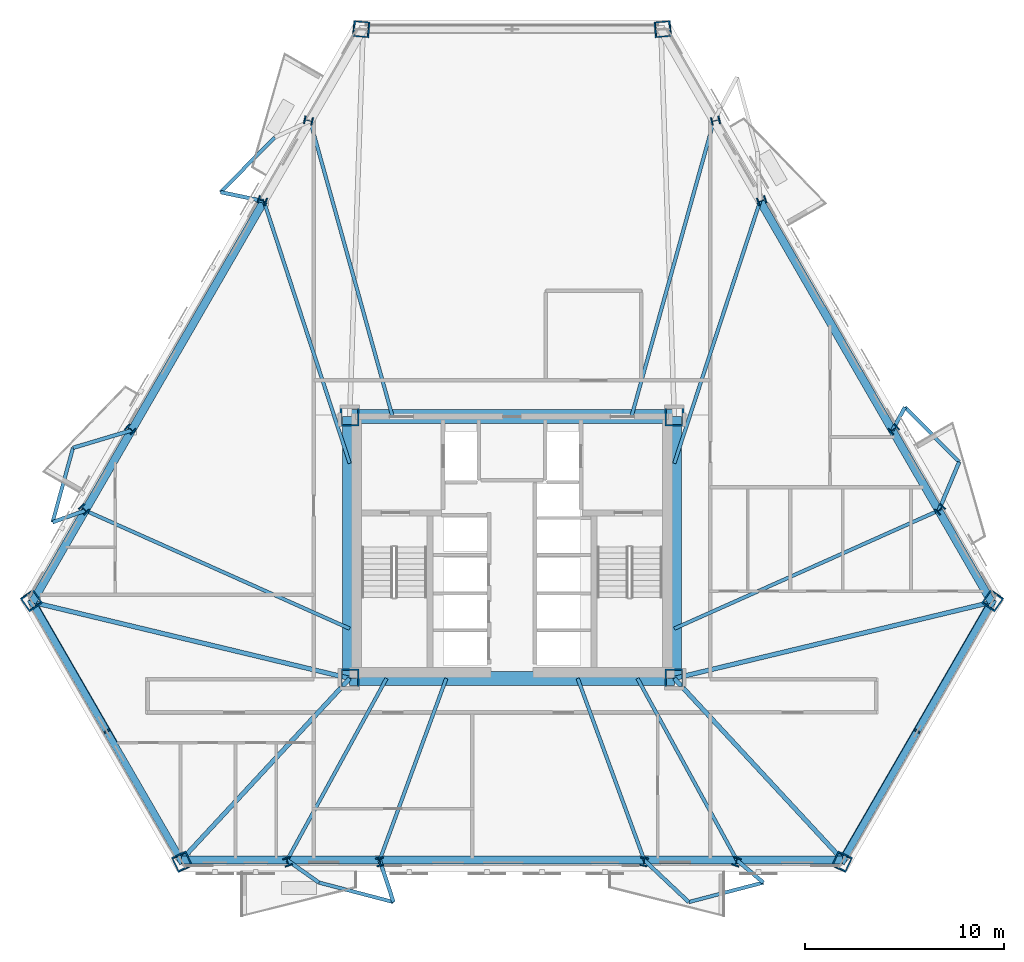
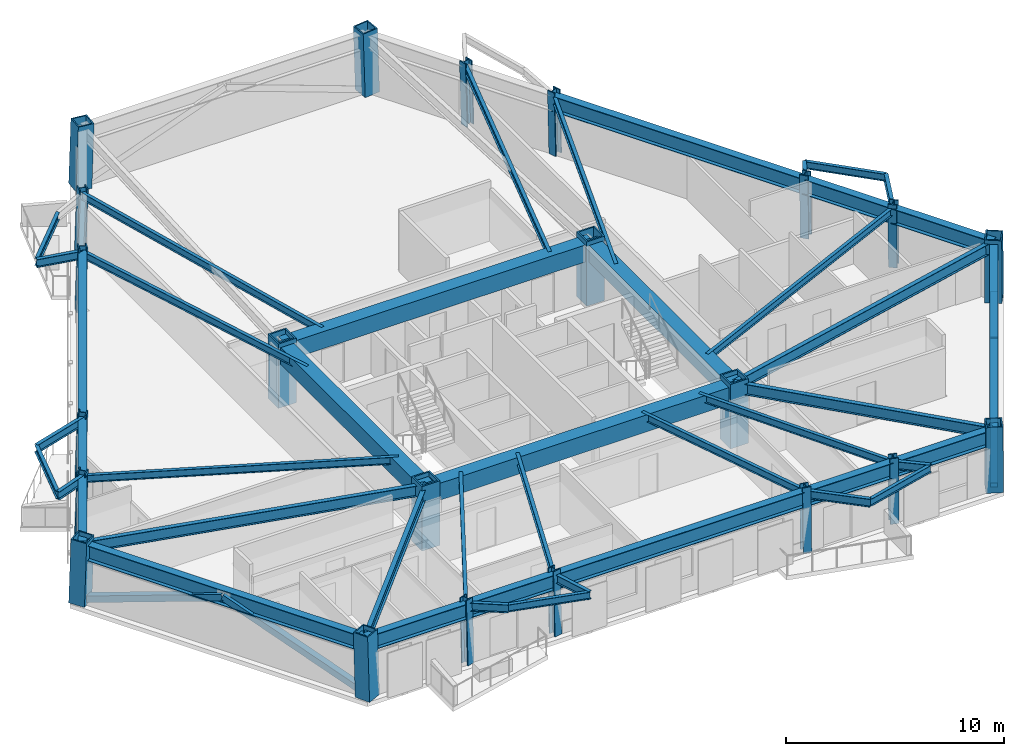
# One storey, part 1 of 13: 45 beams, 22 columns, 4 members.
"""IFC4 building model written with IfcOpenShell, lengths in metres."""

from ifc_helpers import new_model, si_unit, direction, frame, origin, origin_2d, place, context, subcontext, project, spatial, rectangle, hollow_rectangle, i_section, extrude, material, material_profile, profile_set, type_object, element, save


model = new_model("IFC4")

# Units and contexts
model_context = context("Model", 3, precision=1e-05, world=origin(), true_north=direction((0.0, 1.0)))
body_context = subcontext(model_context, "Body", "Model", "MODEL_VIEW")
ifc_project = project(units=[si_unit("LENGTHUNIT", "METRE"), si_unit("AREAUNIT", "SQUARE_METRE"), si_unit("VOLUMEUNIT", "CUBIC_METRE"), si_unit("PLANEANGLEUNIT", "RADIAN"), si_unit("MASSUNIT", "GRAM", prefix="KILO")], contexts=[model_context])

# Site, building, storey
site_placement = place(None, origin())
site = spatial("IfcSite", under=ifc_project, at=site_placement, CompositionType="ELEMENT")
building_placement = place(site_placement, origin())
building = spatial("IfcBuilding", under=site, at=building_placement, Name="Oramaril Tower", CompositionType="ELEMENT")
storey_placement = place(building_placement, frame((0.0, 0.0, 41.699951171875)))
storey = spatial("IfcBuildingStorey", under=building, at=storey_placement, Name="L10", CompositionType="ELEMENT", Elevation=41.699951171875)

# Columns
ifc_material_1 = material(Name="Steel ASTM A572 Gr 50", Category="steel")
ifc_material_profile_1 = material_profile(ifc_material_1, hollow_rectangle(XDim=0.949951171875, YDim=0.949951171875, WallThickness=0.080078125, at=origin_2d()), Name="BOX950X950X80")
ifc_profile_set_1 = profile_set([ifc_material_profile_1], Name="Steel ASTM A572 Gr 50")
column_type_1 = type_object("IfcColumnType", Name="CT-CC2", PredefinedType="COLUMN", material=ifc_profile_set_1)
for number, where, z_axis, x_axis, name in (
    (1, (29.35009765625, 11.0, 0.0), (0.0, 0.0, 1.0), (1.0, 0.0, 0.0), "L10 Core Column CC-1"),
    (2, (45.64990234375, 11.0, 0.0), (0.0, 0.0, 1.0), (1.0, 0.0, 0.0), "L10 Core Column CC-2"),
    (3, (45.64990234375, 24.14990234375, 0.0), (0.0, 0.0, 1.0), (1.0, 0.0, 0.0), "L10 Core Column CC-3"),
    (4, (29.35009765625, 24.14990234375, 0.0), (0.0, 0.0, 1.0), (1.0, 0.0, 0.0), "L10 Core Column CC-4"),
):
    element("IfcColumn", number, at=place(storey_placement, frame(where, z_axis=z_axis, x_axis=x_axis)), inside=storey, type_object=column_type_1, Name=name, PredefinedType="COLUMN", context=body_context, shape_type="SweptSolid", body=[
        extrude(hollow_rectangle(XDim=0.949951171875, YDim=0.949951171875, WallThickness=0.080078125, at=origin_2d()), origin(), (0.0, 0.0, 1.0), 3.60009765625),
    ])
ifc_material_2 = material(Name="Steel ASTM A572 Gr 50", Category="steel")
ifc_material_profile_2 = material_profile(ifc_material_2, hollow_rectangle(XDim=0.800048828125, YDim=0.800048828125, WallThickness=0.06494140625, at=origin_2d()), Name="BOX800X800X65")
ifc_profile_set_2 = profile_set([ifc_material_profile_2], Name="Steel ASTM A572 Gr 50")
column_type_2 = type_object("IfcColumnType", Name="CT-TC3", PredefinedType="COLUMN", material=ifc_profile_set_2)
for number, where, z_axis, x_axis, name in (
    (5, (13.3515625, 14.921142578125, 0.004638671875), (0.017804763087, -0.025619830854, 0.999513188847), (0.821171487863, 0.570681511459, 0.0), "L10 Tube Column TC-01"),
    (6, (20.940673828125, 1.7763671875, 0.004638671875), (-0.013319597819, 0.028202209668, 0.999513493498), (-0.904225275957, -0.427055792982, 0.0), "L10 Tube Column TC-02"),
    (7, (54.059326171875, 1.7763671875, 0.004638671875), (0.013319597819, 0.028202209668, 0.999513493498), (-0.904225275957, 0.427055792982, 0.0), "L10 Tube Column TC-03"),
    (8, (61.6484375, 14.921142578125, 0.004638671875), (-0.017804763087, -0.025619830854, 0.999513188847), (0.821171487863, -0.570681511459, 0.0), "L10 Tube Column TC-04"),
    (9, (45.089111328125, 43.6025390625, 0.004638671875), (-0.031124325583, -0.002582367625, 0.999512184885), (0.082685320584, -0.996575705985, 0.0), "L10 Tube Column TC-05"),
    (10, (29.910888671875, 43.6025390625, 0.004638671875), (0.031124325583, -0.002582367625, 0.999512184885), (0.082685320584, 0.996575705985, 0.0), "L10 Tube Column TC-06"),
):
    element("IfcColumn", number, at=place(storey_placement, frame(where, z_axis=z_axis, x_axis=x_axis)), inside=storey, type_object=column_type_2, Name=name, PredefinedType="COLUMN", context=body_context, shape_type="SweptSolid", body=[
        extrude(hollow_rectangle(XDim=0.800048828125, YDim=0.800048828125, WallThickness=0.06494140625, at=origin_2d()), origin(), (0.0, 0.0, 1.0), 3.592529296875),
    ])
ifc_material_3 = material(Name="Steel ASTM A572 Gr 50", Category="steel")
ifc_material_profile_3 = material_profile(ifc_material_3, i_section(OverallWidth=0.410888671875, OverallDepth=0.43408203125, WebThickness=0.035888671875, FlangeThickness=0.057373046875, at=origin_2d()), Name="W14X311")
ifc_profile_set_3 = profile_set([ifc_material_profile_3], Name="Steel ASTM A572 Gr 50")
column_type_3 = type_object("IfcColumnType", Name="CT-TF2", PredefinedType="COLUMN", material=ifc_profile_set_3)
for number, where, z_axis, x_axis, name in (
    (11, (26.23974609375, 1.7763671875, 0.004638671875), (-0.009038731128, 0.028203559535, 0.999561334071), (-0.952290838409, -0.305192003635, 0.0), "L10 Tube Column TC-07"),
    (12, (30.876220703125, 1.7763671875, 0.004638671875), (-0.005301052052, 0.028204315407, 0.999588122898), (-0.982791664825, -0.184717469533, 0.0), "L10 Tube Column TC-08"),
    (13, (44.123779296875, 1.7763671875, 0.004638671875), (0.005301052052, 0.028204315407, 0.999588122898), (-0.982791664825, 0.184717469533, 0.0), "L10 Tube Column TC-09"),
    (14, (48.76025390625, 1.7763671875, 0.004638671875), (0.009038731128, 0.028203559535, 0.999561334071), (-0.952290838409, 0.305192003635, 0.0), "L10 Tube Column TC-10"),
    (15, (58.998779296875, 19.510009765625, 0.004638671875), (-0.019912410155, -0.021883263038, 0.999562213532), (0.739628186398, -0.673015709984, 0.0), "L10 Tube Column TC-11"),
    (16, (56.6806640625, 23.525390625, 0.004638671875), (-0.021815850075, -0.018689591186, 0.999587298772), (0.650596520986, -0.759423575405, 0.0), "L10 Tube Column TC-12"),
    (17, (50.056884765625, 34.998046875, 0.004638671875), (-0.027116889303, -0.009514698001, 0.999586987128), (0.331087713029, -0.943599982133, 0.0), "L10 Tube Column TC-13"),
    (18, (47.738525390625, 39.013671875, 0.004638671875), (-0.028951109657, -0.006320312672, 0.999560847021), (0.213286484008, -0.976989700938, 0.0), "L10 Tube Column TC-14"),
    (19, (27.261474609375, 39.013671875, 0.004638671875), (0.028951109657, -0.006320312672, 0.999560847021), (0.213286484008, 0.976989700938, 0.0), "L10 Tube Column TC-15"),
    (20, (24.943115234375, 34.998291015625, 0.004638671875), (0.027116871705, -0.009582653911, 0.999586338449), (0.333190910036, 0.94285938372, 0.0), "L10 Tube Column TC-16"),
    (21, (18.3193359375, 23.525634765625, 0.004638671875), (0.021815822315, -0.018757529467, 0.999586026806), (0.651957792337, 0.758255258479, 0.0), "L10 Tube Column TC-17"),
    (22, (16.001220703125, 19.510009765625, 0.004638671875), (0.019912410155, -0.021883263038, 0.999562213532), (0.739628186398, 0.673015709984, 0.0), "L10 Tube Column TC-18"),
):
    element("IfcColumn", number, at=place(storey_placement, frame(where, z_axis=z_axis, x_axis=x_axis)), inside=storey, type_object=column_type_3, Name=name, PredefinedType="COLUMN", context=body_context, shape_type="SweptSolid", body=[
        extrude(i_section(OverallWidth=0.410888671875, OverallDepth=0.43408203125, WebThickness=0.035888671875, FlangeThickness=0.057373046875, at=origin_2d()), origin(), (0.0, 0.0, 1.0), 3.59228515625),
    ])

# Beams
ifc_material_4 = material(Name="Steel ASTM A572 Gr 50", Category="steel")
ifc_material_profile_4 = material_profile(ifc_material_4, i_section(OverallWidth=0.19091796875, OverallDepth=0.45703125, WebThickness=0.009033203125, FlangeThickness=0.014404296875, at=origin_2d()), Name="W18X50")
ifc_profile_set_4 = profile_set([ifc_material_profile_4], Name="Steel ASTM A572 Gr 50")
beam_type_1 = type_object("IfcBeamType", Name="BT-BB1", PredefinedType="BEAM", material=ifc_profile_set_4)
beam_1_placement = place(storey_placement, frame((26.207275390625, 1.877685546875, 3.131591796875), z_axis=(0.817009368558, -0.576624393941, 0.0), x_axis=(0.576624393941, 0.817009368558, 0.0)))
element("IfcBeam", 23, at=beam_1_placement, inside=storey, type_object=beam_type_1, Name="L10 Balcony Column-Framed Cantilever 01.1", PredefinedType="BEAM", context=body_context, shape_type="SweptSolid", body=[
    extrude(i_section(OverallWidth=0.19091796875, OverallDepth=0.45703125, WebThickness=0.009033203125, FlangeThickness=0.014404296875, at=origin_2d()), origin(), (0.0, 0.0, 1.0), 1.9560546875),
])
beam_2_placement = place(storey_placement, frame((30.857177734375, 1.877685546875, 3.131591796875), z_axis=(0.311965996469, -0.950093267552, 0.0), x_axis=(0.950093267552, 0.311965996469, 0.0)))
element("IfcBeam", 24, at=beam_2_placement, inside=storey, type_object=beam_type_1, Name="L10 Balcony Column-Framed Cantilever 01.2", PredefinedType="BEAM", context=body_context, shape_type="SweptSolid", body=[
    extrude(i_section(OverallWidth=0.19091796875, OverallDepth=0.45703125, WebThickness=0.009033203125, FlangeThickness=0.014404296875, at=origin_2d()), origin(), (0.0, 0.0, 1.0), 2.21875),
])
beam_3_placement = place(storey_placement, frame((44.142822265625, 1.877685546875, 3.131591796875), z_axis=(0.727167478177, -0.686460092563, 0.0), x_axis=(0.686460092563, 0.727167478177, 0.0)))
element("IfcBeam", 25, at=beam_3_placement, inside=storey, type_object=beam_type_1, Name="L10 Balcony Column-Framed Cantilever 02.1", PredefinedType="BEAM", context=body_context, shape_type="SweptSolid", body=[
    extrude(i_section(OverallWidth=0.19091796875, OverallDepth=0.45703125, WebThickness=0.009033203125, FlangeThickness=0.014404296875, at=origin_2d()), origin(), (0.0, 0.0, 1.0), 3.07080078125),
])
beam_4_placement = place(storey_placement, frame((48.792724609375, 1.877685546875, 3.131591796875), z_axis=(0.761922022881, -0.64766876646, 0.0), x_axis=(0.64766876646, 0.761922022881, 0.0)))
element("IfcBeam", 26, at=beam_4_placement, inside=storey, type_object=beam_type_1, Name="L10 Balcony Column-Framed Cantilever 02.2", PredefinedType="BEAM", context=body_context, shape_type="SweptSolid", body=[
    extrude(i_section(OverallWidth=0.19091796875, OverallDepth=0.45703125, WebThickness=0.009033203125, FlangeThickness=0.014404296875, at=origin_2d()), origin(), (0.0, 0.0, 1.0), 1.741455078125),
])
beam_5_placement = place(storey_placement, frame((58.92724609375, 19.431396484375, 3.131591796875), z_axis=(0.388085881687, 0.921623213919, 0.0), x_axis=(-0.921623213919, 0.388085881687, 0.0)))
element("IfcBeam", 27, at=beam_5_placement, inside=storey, type_object=beam_type_1, Name="L10 Balcony Column-Framed Cantilever 03.1", PredefinedType="BEAM", context=body_context, shape_type="SweptSolid", body=[
    extrude(i_section(OverallWidth=0.19091796875, OverallDepth=0.45703125, WebThickness=0.009033203125, FlangeThickness=0.014404296875, at=origin_2d()), origin(), (0.0, 0.0, 1.0), 2.645263671875),
])
beam_6_placement = place(storey_placement, frame((56.602294921875, 23.458251953125, 3.131591796875), z_axis=(0.476705053, 0.879063304003, 0.0), x_axis=(-0.879063304003, 0.476705053, 0.0)))
element("IfcBeam", 28, at=beam_6_placement, inside=storey, type_object=beam_type_1, Name="L10 Balcony Column-Framed Cantilever 03.2", PredefinedType="BEAM", context=body_context, shape_type="SweptSolid", body=[
    extrude(i_section(OverallWidth=0.19091796875, OverallDepth=0.45703125, WebThickness=0.009033203125, FlangeThickness=0.014404296875, at=origin_2d()), origin(), (0.0, 0.0, 1.0), 1.323486328125),
])
beam_7_placement = place(storey_placement, frame((25.04052734375, 34.9638671875, 3.131591796875), z_axis=(-0.978784980463, 0.204890121824, 0.0), x_axis=(-0.204890121824, -0.978784980463, 0.0)))
element("IfcBeam", 29, at=beam_7_placement, inside=storey, type_object=beam_type_1, Name="L10 Balcony Column-Framed Cantilever 05.2", PredefinedType="BEAM", context=body_context, shape_type="SweptSolid", body=[
    extrude(i_section(OverallWidth=0.19091796875, OverallDepth=0.45703125, WebThickness=0.009033203125, FlangeThickness=0.014404296875, at=origin_2d()), origin(), (0.0, 0.0, 1.0), 2.21875),
])
beam_8_placement = place(storey_placement, frame((18.397705078125, 23.458251953125, 3.131591796875), z_axis=(-0.958088485161, -0.286472432534, 0.0), x_axis=(0.286472432534, -0.958088485161, 0.0)))
element("IfcBeam", 30, at=beam_8_placement, inside=storey, type_object=beam_type_1, Name="L10 Balcony Column-Framed Cantilever 06.1", PredefinedType="BEAM", context=body_context, shape_type="SweptSolid", body=[
    extrude(i_section(OverallWidth=0.19091796875, OverallDepth=0.45703125, WebThickness=0.009033203125, FlangeThickness=0.014404296875, at=origin_2d()), origin(), (0.0, 0.0, 1.0), 3.070556640625),
])
beam_9_placement = place(storey_placement, frame((16.07275390625, 19.431396484375, 3.131591796875), z_axis=(-0.941859198254, -0.336007813397, 0.0), x_axis=(0.336007813397, -0.941859198254, 0.0)))
element("IfcBeam", 31, at=beam_9_placement, inside=storey, type_object=beam_type_1, Name="L10 Balcony Column-Framed Cantilever 06.2", PredefinedType="BEAM", context=body_context, shape_type="SweptSolid", body=[
    extrude(i_section(OverallWidth=0.19091796875, OverallDepth=0.45703125, WebThickness=0.009033203125, FlangeThickness=0.014404296875, at=origin_2d()), origin(), (0.0, 0.0, 1.0), 1.74169921875),
])
ifc_material_5 = material(Name="Concrete C50/60", Category="concrete")
ifc_material_profile_5 = material_profile(ifc_material_5, rectangle(XDim=0.699951171875, YDim=0.949951171875, at=origin_2d()), Name="CB700X950")
ifc_profile_set_5 = profile_set([ifc_material_profile_5], Name="Concrete C50/60")
beam_type_2 = type_object("IfcBeamType", Name="BT-CB1", PredefinedType="BEAM", material=ifc_profile_set_5)
beam_10_placement = place(storey_placement, frame((29.35009765625, 11.0, 2.885009765625), z_axis=(1.0, 0.0, 0.0), x_axis=(0.0, 1.0, 0.0)))
element("IfcBeam", 32, at=beam_10_placement, inside=storey, type_object=beam_type_2, Name="L10 Core Header Beam CB-1", PredefinedType="BEAM", context=body_context, shape_type="SweptSolid", body=[
    extrude(rectangle(XDim=0.699951171875, YDim=0.949951171875, at=origin_2d()), origin(), (0.0, 0.0, 1.0), 16.2998046875),
])
beam_11_placement = place(storey_placement, frame((45.64990234375, 11.0, 2.885009765625), z_axis=(0.0, 1.0, 0.0), x_axis=(-1.0, 0.0, 0.0)))
element("IfcBeam", 33, at=beam_11_placement, inside=storey, type_object=beam_type_2, Name="L10 Core Header Beam CB-2", PredefinedType="BEAM", context=body_context, shape_type="SweptSolid", body=[
    extrude(rectangle(XDim=0.699951171875, YDim=0.949951171875, at=origin_2d()), origin(), (0.0, 0.0, 1.0), 13.14990234375),
])
beam_12_placement = place(storey_placement, frame((45.64990234375, 24.14990234375, 2.885009765625), z_axis=(-1.0, 0.0, 0.0), x_axis=(0.0, -1.0, 0.0)))
element("IfcBeam", 34, at=beam_12_placement, inside=storey, type_object=beam_type_2, Name="L10 Core Header Beam CB-3", PredefinedType="BEAM", context=body_context, shape_type="SweptSolid", body=[
    extrude(rectangle(XDim=0.699951171875, YDim=0.949951171875, at=origin_2d()), origin(), (0.0, 0.0, 1.0), 16.2998046875),
])
beam_13_placement = place(storey_placement, frame((29.35009765625, 24.14990234375, 2.885009765625), z_axis=(0.0, -1.0, 0.0), x_axis=(1.0, 0.0, 0.0)))
element("IfcBeam", 35, at=beam_13_placement, inside=storey, type_object=beam_type_2, Name="L10 Core Header Beam CB-4", PredefinedType="BEAM", context=body_context, shape_type="SweptSolid", body=[
    extrude(rectangle(XDim=0.699951171875, YDim=0.949951171875, at=origin_2d()), origin(), (0.0, 0.0, 1.0), 13.14990234375),
])
ifc_material_6 = material(Name="Steel ASTM A572 Gr 50", Category="steel")
ifc_material_profile_6 = material_profile(ifc_material_6, i_section(OverallWidth=0.22900390625, OverallDepth=0.612060546875, WebThickness=0.011962890625, FlangeThickness=0.01953125, at=origin_2d()), Name="W24X84")
ifc_profile_set_6 = profile_set([ifc_material_profile_6], Name="Steel ASTM A572 Gr 50")
beam_type_3 = type_object("IfcBeamType", Name="BT-FB1", PredefinedType="BEAM", material=ifc_profile_set_6)
beam_14_placement = place(storey_placement, frame((29.35009765625, 11.0, 3.053955078125), z_axis=(-0.972320731453, 0.233650155545, 0.0), x_axis=(-0.233650155545, -0.972320731453, 0.0)))
element("IfcBeam", 36, at=beam_14_placement, inside=storey, type_object=beam_type_3, Name="L10 Radial Primary Beam RB-01", PredefinedType="BEAM", context=body_context, shape_type="SweptSolid", body=[
    extrude(i_section(OverallWidth=0.22900390625, OverallDepth=0.612060546875, WebThickness=0.011962890625, FlangeThickness=0.01953125, at=origin_2d()), origin(), (0.0, 0.0, 1.0), 16.38818359375),
])
for number, where, z_axis, x_axis, name in (
    (37, (29.35009765625, 11.0, 3.053955078125), (-0.679870488724, -0.733332202049, 0.0), (0.733332202049, -0.679870488724, 0.0), "L10 Radial Primary Beam RB-02"),
    (38, (45.64990234375, 11.0, 3.053955078125), (0.679870488724, -0.733332202049, 0.0), (0.733332202049, 0.679870488724, 0.0), "L10 Radial Primary Beam RB-03"),
):
    element("IfcBeam", number, at=place(storey_placement, frame(where, z_axis=z_axis, x_axis=x_axis)), inside=storey, type_object=beam_type_3, Name=name, PredefinedType="BEAM", context=body_context, shape_type="SweptSolid", body=[
        extrude(i_section(OverallWidth=0.22900390625, OverallDepth=0.612060546875, WebThickness=0.011962890625, FlangeThickness=0.01953125, at=origin_2d()), origin(), (0.0, 0.0, 1.0), 12.439453125),
    ])
beam_15_placement = place(storey_placement, frame((45.64990234375, 11.0, 3.053955078125), z_axis=(0.972320731453, 0.233650155545, 0.0), x_axis=(-0.233650155545, 0.972320731453, 0.0)))
element("IfcBeam", 39, at=beam_15_placement, inside=storey, type_object=beam_type_3, Name="L10 Radial Primary Beam RB-04", PredefinedType="BEAM", context=body_context, shape_type="SweptSolid", body=[
    extrude(i_section(OverallWidth=0.22900390625, OverallDepth=0.612060546875, WebThickness=0.011962890625, FlangeThickness=0.01953125, at=origin_2d()), origin(), (0.0, 0.0, 1.0), 16.38818359375),
])
ifc_material_7 = material(Name="Steel ASTM A572 Gr 50", Category="steel")
ifc_material_profile_7 = material_profile(ifc_material_7, i_section(OverallWidth=0.177978515625, OverallDepth=0.404052734375, WebThickness=0.007568359375, FlangeThickness=0.010986328125, at=origin_2d()), Name="W16X36")
ifc_profile_set_7 = profile_set([ifc_material_profile_7], Name="Steel ASTM A572 Gr 50")
beam_type_4 = type_object("IfcBeamType", Name="BT-SB1", PredefinedType="BEAM", material=ifc_profile_set_7)
beam_16_placement = place(storey_placement, frame((31.199951171875, 11.0, 3.157958984375), z_axis=(-0.480101750508, -0.877212807225, 0.0), x_axis=(0.877212807225, -0.480101750508, 0.0)))
element("IfcBeam", 40, at=beam_16_placement, inside=storey, type_object=beam_type_4, Name="L10 Secondary Floor Beam SB-01", PredefinedType="BEAM", context=body_context, shape_type="SweptSolid", body=[
    extrude(i_section(OverallWidth=0.177978515625, OverallDepth=0.404052734375, WebThickness=0.007568359375, FlangeThickness=0.010986328125, at=origin_2d()), origin(), (0.0, 0.0, 1.0), 10.399169921875),
])
for number, where, z_axis, x_axis, name in (
    (41, (34.199951171875, 11.0, 3.157958984375), (-0.344066359277, -0.938945334092, 0.0), (0.938945334092, -0.344066359277, 0.0), "L10 Secondary Floor Beam SB-02"),
    (42, (40.800048828125, 11.0, 3.157958984375), (0.344066359277, -0.938945334092, 0.0), (0.938945334092, 0.344066359277, 0.0), "L10 Secondary Floor Beam SB-03"),
):
    element("IfcBeam", number, at=place(storey_placement, frame(where, z_axis=z_axis, x_axis=x_axis)), inside=storey, type_object=beam_type_4, Name=name, PredefinedType="BEAM", context=body_context, shape_type="SweptSolid", body=[
        extrude(i_section(OverallWidth=0.177978515625, OverallDepth=0.404052734375, WebThickness=0.007568359375, FlangeThickness=0.010986328125, at=origin_2d()), origin(), (0.0, 0.0, 1.0), 9.715576171875),
    ])
beam_17_placement = place(storey_placement, frame((43.800048828125, 11.0, 3.157958984375), z_axis=(0.480101750508, -0.877212807225, 0.0), x_axis=(0.877212807225, 0.480101750508, 0.0)))
element("IfcBeam", 43, at=beam_17_placement, inside=storey, type_object=beam_type_4, Name="L10 Secondary Floor Beam SB-04", PredefinedType="BEAM", context=body_context, shape_type="SweptSolid", body=[
    extrude(i_section(OverallWidth=0.177978515625, OverallDepth=0.404052734375, WebThickness=0.007568359375, FlangeThickness=0.010986328125, at=origin_2d()), origin(), (0.0, 0.0, 1.0), 10.399169921875),
])
beam_18_placement = place(storey_placement, frame((45.64990234375, 13.5, 3.157958984375), z_axis=(0.913035184113, 0.407880806819, 0.0), x_axis=(-0.407880806819, 0.913035184113, 0.0)))
element("IfcBeam", 44, at=beam_18_placement, inside=storey, type_object=beam_type_4, Name="L10 Secondary Floor Beam SB-05", PredefinedType="BEAM", context=body_context, shape_type="SweptSolid", body=[
    extrude(i_section(OverallWidth=0.177978515625, OverallDepth=0.404052734375, WebThickness=0.007568359375, FlangeThickness=0.010986328125, at=origin_2d()), origin(), (0.0, 0.0, 1.0), 14.5419921875),
])
beam_19_placement = place(storey_placement, frame((45.64990234375, 21.800048828125, 3.157958984375), z_axis=(0.311131109038, 0.950366999106, 0.0), x_axis=(-0.950366999106, 0.311131109038, 0.0)))
element("IfcBeam", 45, at=beam_19_placement, inside=storey, type_object=beam_type_4, Name="L10 Secondary Floor Beam SB-06", PredefinedType="BEAM", context=body_context, shape_type="SweptSolid", body=[
    extrude(i_section(OverallWidth=0.177978515625, OverallDepth=0.404052734375, WebThickness=0.007568359375, FlangeThickness=0.010986328125, at=origin_2d()), origin(), (0.0, 0.0, 1.0), 13.851318359375),
])
for number, where, z_axis, x_axis, name in (
    (46, (43.5, 24.14990234375, 3.157958984375), (0.268367114983, 0.963316714064, 0.0), (-0.963316714064, 0.268367114983, 0.0), "L10 Secondary Floor Beam SB-07"),
    (47, (31.5, 24.14990234375, 3.157958984375), (-0.268367114983, 0.963316714064, 0.0), (-0.963316714064, -0.268367114983, 0.0), "L10 Secondary Floor Beam SB-08"),
):
    element("IfcBeam", number, at=place(storey_placement, frame(where, z_axis=z_axis, x_axis=x_axis)), inside=storey, type_object=beam_type_4, Name=name, PredefinedType="BEAM", context=body_context, shape_type="SweptSolid", body=[
        extrude(i_section(OverallWidth=0.177978515625, OverallDepth=0.404052734375, WebThickness=0.007568359375, FlangeThickness=0.010986328125, at=origin_2d()), origin(), (0.0, 0.0, 1.0), 15.40625),
    ])
beam_20_placement = place(storey_placement, frame((29.35009765625, 21.800048828125, 3.157958984375), z_axis=(-0.311131109038, 0.950366999106, 0.0), x_axis=(-0.950366999106, -0.311131109038, 0.0)))
element("IfcBeam", 48, at=beam_20_placement, inside=storey, type_object=beam_type_4, Name="L10 Secondary Floor Beam SB-09", PredefinedType="BEAM", context=body_context, shape_type="SweptSolid", body=[
    extrude(i_section(OverallWidth=0.177978515625, OverallDepth=0.404052734375, WebThickness=0.007568359375, FlangeThickness=0.010986328125, at=origin_2d()), origin(), (0.0, 0.0, 1.0), 13.851318359375),
])
beam_21_placement = place(storey_placement, frame((29.35009765625, 13.5, 3.157958984375), z_axis=(-0.913035184113, 0.407880806819, 0.0), x_axis=(-0.407880806819, -0.913035184113, 0.0)))
element("IfcBeam", 49, at=beam_21_placement, inside=storey, type_object=beam_type_4, Name="L10 Secondary Floor Beam SB-10", PredefinedType="BEAM", context=body_context, shape_type="SweptSolid", body=[
    extrude(i_section(OverallWidth=0.177978515625, OverallDepth=0.404052734375, WebThickness=0.007568359375, FlangeThickness=0.010986328125, at=origin_2d()), origin(), (0.0, 0.0, 1.0), 14.5419921875),
])
for number, where, z_axis, x_axis, name in (
    (50, (27.805419921875, 0.749755859375, 3.157958984375), (0.967407922874, -0.253223045479, 0.0), (0.253223045479, 0.967407922874, 0.0), "L10 Balcony Edge Tie Beam 01"),
    (51, (46.375732421875, -0.230224609375, 3.157958984375), (0.967407922874, 0.253223045479, 0.0), (-0.253223045479, 0.967407922874, 0.0), "L10 Balcony Edge Tie Beam 02"),
):
    element("IfcBeam", number, at=place(storey_placement, frame(where, z_axis=z_axis, x_axis=x_axis)), inside=storey, type_object=beam_type_4, Name=name, PredefinedType="BEAM", context=body_context, shape_type="SweptSolid", body=[
        extrude(i_section(OverallWidth=0.177978515625, OverallDepth=0.404052734375, WebThickness=0.007568359375, FlangeThickness=0.010986328125, at=origin_2d()), origin(), (0.0, 0.0, 1.0), 3.8701171875),
    ])
beam_22_placement = place(storey_placement, frame((59.953857421875, 21.869384765625, 3.157958984375), z_axis=(-0.703026051641, 0.71116409549, 0.0), x_axis=(-0.71116409549, -0.703026051641, 0.0)))
element("IfcBeam", 52, at=beam_22_placement, inside=storey, type_object=beam_type_4, Name="L10 Balcony Edge Tie Beam 03", PredefinedType="BEAM", context=body_context, shape_type="SweptSolid", body=[
    extrude(i_section(OverallWidth=0.177978515625, OverallDepth=0.404052734375, WebThickness=0.007568359375, FlangeThickness=0.010986328125, at=origin_2d()), origin(), (0.0, 0.0, 1.0), 3.869873046875),
])
for number, where, z_axis, x_axis, name in (
    (53, (25.589599609375, 38.1708984375, 3.157958984375), (-0.702994511648, -0.71119527318, 0.0), (0.71119527318, -0.702994511648, 0.0), "L10 Balcony Edge Tie Beam 05"),
    (54, (15.455810546875, 22.57861328125, 3.157958984375), (-0.264440915482, -0.964401888332, 0.0), (0.964401888332, -0.264440915482, 0.0), "L10 Balcony Edge Tie Beam 06"),
):
    element("IfcBeam", number, at=place(storey_placement, frame(where, z_axis=z_axis, x_axis=x_axis)), inside=storey, type_object=beam_type_4, Name=name, PredefinedType="BEAM", context=body_context, shape_type="SweptSolid", body=[
        extrude(i_section(OverallWidth=0.177978515625, OverallDepth=0.404052734375, WebThickness=0.007568359375, FlangeThickness=0.010986328125, at=origin_2d()), origin(), (0.0, 0.0, 1.0), 3.8701171875),
    ])
ifc_material_8 = material(Name="Steel ASTM A572 Gr 50", Category="steel")
ifc_material_profile_8 = material_profile(ifc_material_8, i_section(OverallWidth=0.40087890625, OverallDepth=0.85595703125, WebThickness=0.018310546875, FlangeThickness=0.029296875, at=origin_2d()), Name="W33X201")
ifc_profile_set_8 = profile_set([ifc_material_profile_8], Name="Steel ASTM A572 Gr 50")
beam_type_5 = type_object("IfcBeamType", Name="BT-SP1", PredefinedType="SPANDREL", material=ifc_profile_set_8)
beam_23_placement = place(storey_placement, frame((13.41552734375, 14.8291015625, 2.93212890625), z_axis=(0.499989538455, -0.866031443676, 0.0), x_axis=(0.866031443676, 0.499989538455, 0.0)))
element("IfcBeam", 55, at=beam_23_placement, inside=storey, type_object=beam_type_5, Name="L10 Perimeter Spandrel 01", PredefinedType="SPANDREL", context=body_context, shape_type="SweptSolid", body=[
    extrude(i_section(OverallWidth=0.40087890625, OverallDepth=0.85595703125, WebThickness=0.018310546875, FlangeThickness=0.029296875, at=origin_2d()), origin(), (0.0, 0.0, 1.0), 14.954833984375),
])
beam_24_placement = place(storey_placement, frame((20.892822265625, 1.877685546875, 2.93212890625), z_axis=(1.0, 0.0, 0.0), x_axis=(0.0, 1.0, 0.0)))
element("IfcBeam", 56, at=beam_24_placement, inside=storey, type_object=beam_type_5, Name="L10 Perimeter Spandrel 02", PredefinedType="SPANDREL", context=body_context, shape_type="SweptSolid", body=[
    extrude(i_section(OverallWidth=0.40087890625, OverallDepth=0.85595703125, WebThickness=0.018310546875, FlangeThickness=0.029296875, at=origin_2d()), origin(), (0.0, 0.0, 1.0), 5.314453125),
])
beam_25_placement = place(storey_placement, frame((26.207275390625, 1.877685546875, 2.93212890625), z_axis=(1.0, 0.0, 0.0), x_axis=(0.0, 1.0, 0.0)))
element("IfcBeam", 57, at=beam_25_placement, inside=storey, type_object=beam_type_5, Name="L10 Perimeter Spandrel 03", PredefinedType="SPANDREL", context=body_context, shape_type="SweptSolid", body=[
    extrude(i_section(OverallWidth=0.40087890625, OverallDepth=0.85595703125, WebThickness=0.018310546875, FlangeThickness=0.029296875, at=origin_2d()), origin(), (0.0, 0.0, 1.0), 4.64990234375),
])
beam_26_placement = place(storey_placement, frame((30.857177734375, 1.877685546875, 2.93212890625), z_axis=(1.0, 0.0, 0.0), x_axis=(0.0, 1.0, 0.0)))
element("IfcBeam", 58, at=beam_26_placement, inside=storey, type_object=beam_type_5, Name="L10 Perimeter Spandrel 04", PredefinedType="SPANDREL", context=body_context, shape_type="SweptSolid", body=[
    extrude(i_section(OverallWidth=0.40087890625, OverallDepth=0.85595703125, WebThickness=0.018310546875, FlangeThickness=0.029296875, at=origin_2d()), origin(), (0.0, 0.0, 1.0), 13.28564453125),
])
beam_27_placement = place(storey_placement, frame((44.142822265625, 1.877685546875, 2.93212890625), z_axis=(1.0, 0.0, 0.0), x_axis=(0.0, 1.0, 0.0)))
element("IfcBeam", 59, at=beam_27_placement, inside=storey, type_object=beam_type_5, Name="L10 Perimeter Spandrel 05", PredefinedType="SPANDREL", context=body_context, shape_type="SweptSolid", body=[
    extrude(i_section(OverallWidth=0.40087890625, OverallDepth=0.85595703125, WebThickness=0.018310546875, FlangeThickness=0.029296875, at=origin_2d()), origin(), (0.0, 0.0, 1.0), 4.64990234375),
])
beam_28_placement = place(storey_placement, frame((48.792724609375, 1.877685546875, 2.93212890625), z_axis=(1.0, 0.0, 0.0), x_axis=(0.0, 1.0, 0.0)))
element("IfcBeam", 60, at=beam_28_placement, inside=storey, type_object=beam_type_5, Name="L10 Perimeter Spandrel 06", PredefinedType="SPANDREL", context=body_context, shape_type="SweptSolid", body=[
    extrude(i_section(OverallWidth=0.40087890625, OverallDepth=0.85595703125, WebThickness=0.018310546875, FlangeThickness=0.029296875, at=origin_2d()), origin(), (0.0, 0.0, 1.0), 5.314453125),
])
beam_29_placement = place(storey_placement, frame((54.107177734375, 1.877685546875, 2.93212890625), z_axis=(0.499989538455, 0.866031443676, 0.0), x_axis=(-0.866031443676, 0.499989538455, 0.0)))
element("IfcBeam", 61, at=beam_29_placement, inside=storey, type_object=beam_type_5, Name="L10 Perimeter Spandrel 07", PredefinedType="SPANDREL", context=body_context, shape_type="SweptSolid", body=[
    extrude(i_section(OverallWidth=0.40087890625, OverallDepth=0.85595703125, WebThickness=0.018310546875, FlangeThickness=0.029296875, at=origin_2d()), origin(), (0.0, 0.0, 1.0), 14.954833984375),
])
beam_30_placement = place(storey_placement, frame((61.58447265625, 14.8291015625, 2.93212890625), z_axis=(-0.500012750943, 0.866018041899, 0.0), x_axis=(-0.866018041899, -0.500012750943, 0.0)))
element("IfcBeam", 62, at=beam_30_placement, inside=storey, type_object=beam_type_5, Name="L10 Perimeter Spandrel 08", PredefinedType="SPANDREL", context=body_context, shape_type="SweptSolid", body=[
    extrude(i_section(OverallWidth=0.40087890625, OverallDepth=0.85595703125, WebThickness=0.018310546875, FlangeThickness=0.029296875, at=origin_2d()), origin(), (0.0, 0.0, 1.0), 5.314208984375),
])
beam_31_placement = place(storey_placement, frame((58.92724609375, 19.431396484375, 2.93212890625), z_axis=(-0.500007271693, 0.86602120543, 0.0), x_axis=(-0.86602120543, -0.500007271693, 0.0)))
element("IfcBeam", 63, at=beam_31_placement, inside=storey, type_object=beam_type_5, Name="L10 Perimeter Spandrel 09", PredefinedType="SPANDREL", context=body_context, shape_type="SweptSolid", body=[
    extrude(i_section(OverallWidth=0.40087890625, OverallDepth=0.85595703125, WebThickness=0.018310546875, FlangeThickness=0.029296875, at=origin_2d()), origin(), (0.0, 0.0, 1.0), 4.64990234375),
])
for number, where, z_axis, x_axis, name in (
    (64, (56.602294921875, 23.458251953125, 2.93212890625), (-0.50000294753, 0.86602370202, 0.0), (-0.86602370202, -0.50000294753, 0.0), "L10 Perimeter Spandrel 10"),
    (65, (25.04052734375, 34.9638671875, 2.93212890625), (-0.50000294753, -0.86602370202, 0.0), (0.86602370202, -0.50000294753, 0.0), "L10 Perimeter Spandrel 16"),
):
    element("IfcBeam", number, at=place(storey_placement, frame(where, z_axis=z_axis, x_axis=x_axis)), inside=storey, type_object=beam_type_5, Name=name, PredefinedType="SPANDREL", context=body_context, shape_type="SweptSolid", body=[
        extrude(i_section(OverallWidth=0.40087890625, OverallDepth=0.85595703125, WebThickness=0.018310546875, FlangeThickness=0.029296875, at=origin_2d()), origin(), (0.0, 0.0, 1.0), 13.28564453125),
    ])
beam_32_placement = place(storey_placement, frame((18.397705078125, 23.458251953125, 2.93212890625), z_axis=(-0.500007271693, -0.86602120543, 0.0), x_axis=(0.86602120543, -0.500007271693, 0.0)))
element("IfcBeam", 66, at=beam_32_placement, inside=storey, type_object=beam_type_5, Name="L10 Perimeter Spandrel 17", PredefinedType="SPANDREL", context=body_context, shape_type="SweptSolid", body=[
    extrude(i_section(OverallWidth=0.40087890625, OverallDepth=0.85595703125, WebThickness=0.018310546875, FlangeThickness=0.029296875, at=origin_2d()), origin(), (0.0, 0.0, 1.0), 4.64990234375),
])
beam_33_placement = place(storey_placement, frame((16.07275390625, 19.431396484375, 2.93212890625), z_axis=(-0.500012750943, -0.866018041899, 0.0), x_axis=(0.866018041899, -0.500012750943, 0.0)))
element("IfcBeam", 67, at=beam_33_placement, inside=storey, type_object=beam_type_5, Name="L10 Perimeter Spandrel 18", PredefinedType="SPANDREL", context=body_context, shape_type="SweptSolid", body=[
    extrude(i_section(OverallWidth=0.40087890625, OverallDepth=0.85595703125, WebThickness=0.018310546875, FlangeThickness=0.029296875, at=origin_2d()), origin(), (0.0, 0.0, 1.0), 5.314208984375),
])

# Members
ifc_material_9 = material(Name="Steel ASTM A572 Gr 50", Category="steel")
ifc_material_profile_9 = material_profile(ifc_material_9, hollow_rectangle(XDim=0.35009765625, YDim=0.35009765625, WallThickness=0.01611328125, at=origin_2d()), Name="HSS350X350X16")
ifc_profile_set_9 = profile_set([ifc_material_profile_9], Name="Steel ASTM A572 Gr 50")
member_type = type_object("IfcMemberType", Name="MT-KB1", PredefinedType="BRACE", material=ifc_profile_set_9)
for number, where, z_axis, x_axis, name in (
    (68, (13.3515625, 14.921142578125, 0.179931640625), (0.470026590202, -0.814154280969, 0.340922001759), (0.866037196499, 0.499979573864, 0.0), "L10 Perimeter Chevron Brace KB-1A"),
    (69, (20.940673828125, 1.7763671875, 0.179931640625), (-0.470061724187, 0.814132510783, 0.340925549556), (-0.86601522421, -0.500017631125, 0.0), "L10 Perimeter Chevron Brace KB-1B"),
    (70, (54.059326171875, 1.7763671875, 0.179931640625), (0.470061724187, 0.814132510783, 0.340925549556), (-0.86601522421, 0.500017631125, 0.0), "L10 Perimeter Chevron Brace KB-2A"),
    (71, (61.6484375, 14.921142578125, 0.179931640625), (-0.470026590202, -0.814154280969, 0.340922001759), (0.866037196499, -0.499979573864, 0.0), "L10 Perimeter Chevron Brace KB-2B"),
):
    element("IfcMember", number, at=place(storey_placement, frame(where, z_axis=z_axis, x_axis=x_axis)), inside=storey, type_object=member_type, Name=name, PredefinedType="BRACE", context=body_context, shape_type="SweptSolid", body=[
        extrude(hollow_rectangle(XDim=0.35009765625, YDim=0.35009765625, WallThickness=0.01611328125, at=origin_2d()), origin(), (0.0, 0.0, 1.0), 8.07275390625),
    ])

save(model, "model.ifc")
